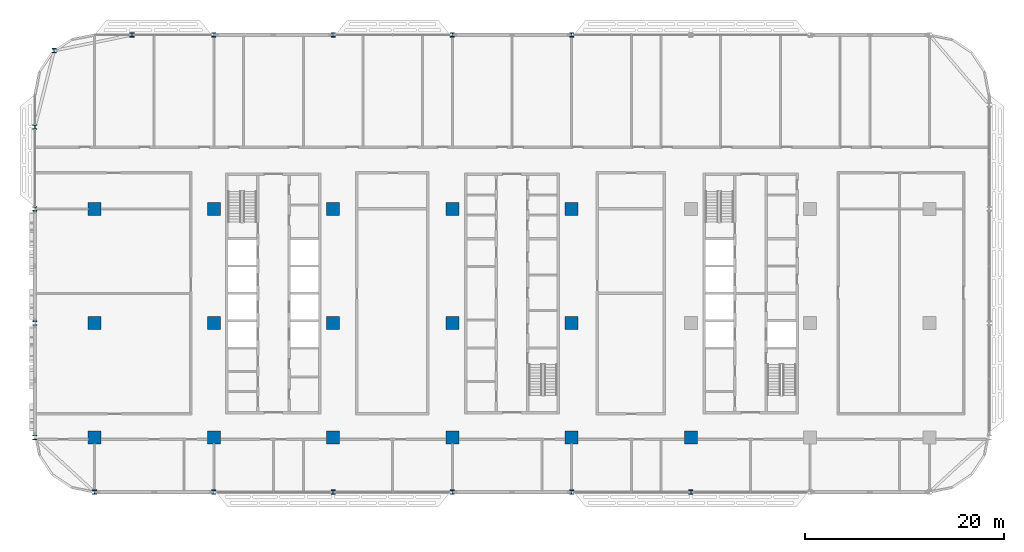
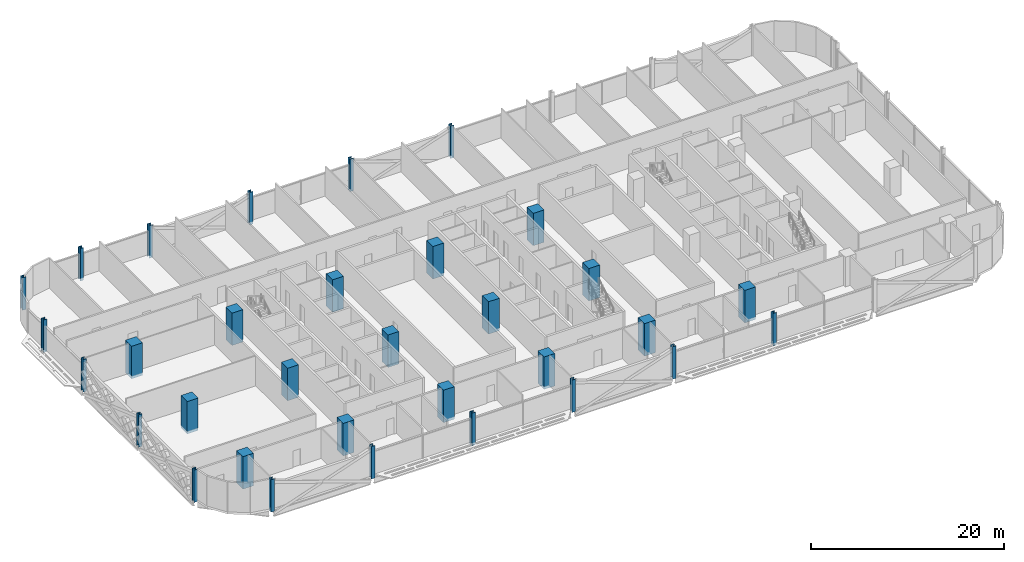
# One storey, part 1 of 29: 32 columns.
"""IFC4 building model written with IfcOpenShell, lengths in metres."""

import ifcopenshell
import ifcopenshell.guid

model = None  # the IFC model being written
_history = None  # IfcOwnerHistory: only IFC2X3 demands one
_inside = {}  # id of a spatial element -> (the spatial element, [elements in it])
_under = {}  # id of a project, library or spatial element -> (it, [spatial elements below it])
_declared = {}  # id of a project -> (the project, [libraries it declares])
_typed = {}  # id of a type object -> (the type object, [elements of that type])
_made_of = {}  # id of a material, layer set ... -> (it, [elements and type objects made of it])


def new_model(schema):
    """Start an empty IFC model of exactly this schema.

    Asked for "IFC4X3", IfcOpenShell would pick the latest addendum, in which some entities
    have other attributes; the version numbers below select the first issue.
    IFC2X3 requires an IfcOwnerHistory on every rooted entity: one is made here for all.
    """
    global model, _history
    if schema == "IFC4X3":
        model = ifcopenshell.file(schema_version=(4, 3, 0, 0))
    else:
        model = ifcopenshell.file(schema=schema)
    _inside.clear()
    _under.clear()
    _declared.clear()
    _typed.clear()
    _made_of.clear()
    _history = None
    if model.schema == "IFC2X3":
        org = make("IfcOrganization", Name="unknown")
        user = make(
            "IfcPersonAndOrganization",
            ThePerson=make("IfcPerson", FamilyName="unknown"),
            TheOrganization=org,
        )
        app = make(
            "IfcApplication",
            ApplicationDeveloper=org,
            Version="unknown",
            ApplicationFullName="unknown",
            ApplicationIdentifier="unknown",
        )
        _history = make(
            "IfcOwnerHistory",
            OwningUser=user,
            OwningApplication=app,
            ChangeAction="ADDED",
            CreationDate=0,
        )
    return model


def make(cls, **values):
    """One entity of the class cls with the attributes given. An attribute that is None is left unset."""
    return model.create_entity(
        cls, **{name: value for name, value in values.items() if value is not None}
    )


def rooted(cls, **values):
    """An entity with a GlobalId (a new one), such as an element, a storey or a relation."""
    return make(cls, GlobalId=ifcopenshell.guid.new(), OwnerHistory=_history, **values)


def si_unit(unit_type, name, prefix=None):
    """IfcSIUnit, for example si_unit("LENGTHUNIT", "METRE", prefix="MILLI")."""
    return make("IfcSIUnit", UnitType=unit_type, Prefix=prefix, Name=name)


def assignment(units):
    """IfcUnitAssignment: the units of a project."""
    return None if units is None else make("IfcUnitAssignment", Units=units)


def point(xyz):
    """IfcCartesianPoint."""
    return None if xyz is None else make("IfcCartesianPoint", Coordinates=xyz)


def direction(xyz):
    """IfcDirection."""
    return None if xyz is None else make("IfcDirection", DirectionRatios=xyz)


def frame(location, z_axis=None, x_axis=None):
    """IfcAxis2Placement3D, a coordinate frame: its origin and axes. An axis left out is left unset."""
    return make(
        "IfcAxis2Placement3D",
        Location=point(location),
        Axis=direction(z_axis),
        RefDirection=direction(x_axis),
    )


def frame_2d(location, x_axis=None):
    """IfcAxis2Placement2D, a coordinate frame in the plane: its origin and x axis."""
    return make(
        "IfcAxis2Placement2D", Location=point(location), RefDirection=direction(x_axis)
    )


def origin():
    """The frame at (0, 0, 0) with its axes left unset."""
    return frame((0.0, 0.0, 0.0))


def origin_2d():
    """The frame at (0, 0) in the plane with its x axis left unset."""
    return frame_2d((0.0, 0.0))


def place(relative_to, where):
    """IfcLocalPlacement: puts the frame where relative to a parent placement (None: the world)."""
    return make(
        "IfcLocalPlacement", PlacementRelTo=relative_to, RelativePlacement=where
    )


def context(
    kind, dimensions, precision=None, world=None, true_north=None, identifier=None
):
    """IfcGeometricRepresentationContext, for example the 3D "Model" context."""
    return make(
        "IfcGeometricRepresentationContext",
        ContextIdentifier=identifier,
        ContextType=kind,
        CoordinateSpaceDimension=dimensions,
        Precision=precision,
        WorldCoordinateSystem=world,
        TrueNorth=true_north,
    )


def subcontext(parent, identifier, kind, view, scale=None):
    """IfcGeometricRepresentationSubContext, for example "Body" below "Model"."""
    return make(
        "IfcGeometricRepresentationSubContext",
        ContextIdentifier=identifier,
        ContextType=kind,
        ParentContext=parent,
        TargetScale=scale,
        TargetView=view,
    )


def project(units=None, contexts=None):
    """IfcProject with its units and contexts."""
    return rooted(
        "IfcProject",
        Name="project",
        RepresentationContexts=contexts,
        UnitsInContext=assignment(units),
    )


def spatial(cls, under=None, at=None, **own):
    """A site, building, storey or space (cls), placed at a placement, below another one or the project."""
    s = rooted(cls, ObjectPlacement=at, **own)
    if under is not None:
        _under.setdefault(under.id(), (under, []))[1].append(s)
    return s


def profile(cls, at=None, kind="AREA", **sizes):
    """A parametric profile (cls). Its sizes go by their IFC names, for example OverallWidth=200.0."""
    return make(cls, ProfileType=kind, Position=at, **sizes)


def rectangle(**sizes):
    """IfcRectangleProfileDef."""
    return profile("IfcRectangleProfileDef", **sizes)


def i_section(**sizes):
    """IfcIShapeProfileDef."""
    return profile("IfcIShapeProfileDef", **sizes)


def extrude(swept, where, along, depth):
    """IfcExtrudedAreaSolid: the profile swept, set in the frame where, extruded along a direction by depth."""
    return make(
        "IfcExtrudedAreaSolid",
        SweptArea=swept,
        Position=where,
        ExtrudedDirection=direction(along),
        Depth=depth,
    )


def shape(context_of_items, identifier, shape_type, items):
    """IfcShapeRepresentation: the items that make up one representation, for example the "Body"."""
    return make(
        "IfcShapeRepresentation",
        ContextOfItems=context_of_items,
        RepresentationIdentifier=identifier,
        RepresentationType=shape_type,
        Items=items,
    )


def material(Name=None, Category=None):
    """IfcMaterial."""
    return make("IfcMaterial", Name=Name, Category=Category)


def material_profile(
    of_material, cross_section, Name=None, Category=None, Priority=None
):
    """IfcMaterialProfile: a cross section and its material."""
    return make(
        "IfcMaterialProfile",
        Name=Name,
        Material=of_material,
        Profile=cross_section,
        Priority=Priority,
        Category=Category,
    )


def profile_set(profiles, Name=None, composite=None):
    """IfcMaterialProfileSet."""
    return make(
        "IfcMaterialProfileSet",
        Name=Name,
        MaterialProfiles=profiles,
        CompositeProfile=composite,
    )


def made_of(thing, what):
    """Note that an element or type object is made of a material, layer set ...; save() writes the relation."""
    if what is not None:
        _made_of.setdefault(what.id(), (what, []))[1].append(thing)
    return thing


def type_object(cls, material=None, **own):
    """A type object (cls), such as IfcWallType, which elements share."""
    return made_of(rooted(cls, **own), material)


def element(
    cls,
    number,
    at=None,
    inside=None,
    cuts=None,
    type_object=None,
    material=None,
    context=None,
    identifier="Body",
    shape_type=None,
    held_by="IfcProductDefinitionShape",
    body=None,
    shapes=None,
    **own,
):
    """One element of the class cls, such as IfcWall. Its Tag is "e" and its number.

    at: its placement. inside: the storey or other place that contains it. cuts: it is an
    opening in that element (IfcRelVoidsElement). A single representation is given by context,
    identifier, shape_type and body (its items); several are given by shapes. held_by: the class
    of the entity that holds the representations. save() writes the other relations.
    """
    e = rooted(cls, Tag="e%d" % number, ObjectPlacement=at, **own)
    if body is not None:
        shapes = [shape(context, identifier, shape_type, body)]
    if shapes is not None:
        e.Representation = make(held_by, Representations=shapes)
    if inside is not None:
        _inside.setdefault(inside.id(), (inside, []))[1].append(e)
    if cuts is not None:
        rooted(
            "IfcRelVoidsElement", RelatingBuildingElement=cuts, RelatedOpeningElement=e
        )
    if type_object is not None:
        _typed.setdefault(type_object.id(), (type_object, []))[1].append(e)
    return made_of(e, material)


def aggregate(whole, parts):
    """IfcRelAggregates: a whole, such as a stair, and the parts it consists of."""
    return rooted("IfcRelAggregates", RelatingObject=whole, RelatedObjects=parts)


def save(model, path):
    """Write the relations noted so far, then the file.

    IfcRelAggregates (storeys below a building ...), IfcRelContainedInSpatialStructure (elements
    in a storey), IfcRelDefinesByType, IfcRelAssociatesMaterial and IfcRelDeclares: one each for
    every whole, place, type object, material and project.
    """
    for whole, parts in _under.values():
        aggregate(whole, parts)
    for where, things in _inside.values():
        rooted(
            "IfcRelContainedInSpatialStructure",
            RelatedElements=things,
            RelatingStructure=where,
        )
    for kind, things in _typed.values():
        rooted("IfcRelDefinesByType", RelatedObjects=things, RelatingType=kind)
    for what, things in _made_of.values():
        rooted("IfcRelAssociatesMaterial", RelatedObjects=things, RelatingMaterial=what)
    for by, libraries in _declared.values():
        rooted("IfcRelDeclares", RelatingContext=by, RelatedDefinitions=libraries)
    model.write(path)


model = new_model("IFC4")

# Units and contexts
model_context = context("Model", 3, precision=1e-05, world=origin(), true_north=direction((0.0, 1.0)))
body_context = subcontext(model_context, "Body", "Model", "MODEL_VIEW")
ifc_project = project(units=[si_unit("LENGTHUNIT", "METRE"), si_unit("AREAUNIT", "SQUARE_METRE"), si_unit("VOLUMEUNIT", "CUBIC_METRE"), si_unit("PLANEANGLEUNIT", "RADIAN"), si_unit("MASSUNIT", "GRAM", prefix="KILO")], contexts=[model_context])

# Site, building, storey
site_placement = place(None, origin())
site = spatial("IfcSite", under=ifc_project, at=site_placement, CompositionType="ELEMENT")
building_placement = place(site_placement, origin())
building = spatial("IfcBuilding", under=site, at=building_placement, Name="Mahtab Terrace Research Tower", CompositionType="ELEMENT")
storey_placement = place(building_placement, frame((0.0, 0.0, 142.5)))
storey = spatial("IfcBuildingStorey", under=building, at=storey_placement, Name="L33", CompositionType="ELEMENT", Elevation=142.5)

# Columns
ifc_material_1 = material(Name="Concrete C70/85", Category="concrete")
ifc_material_profile_1 = material_profile(ifc_material_1, rectangle(XDim=1.300048828125, YDim=1.300048828125, at=origin_2d()), Name="RC column 1300x1300")
ifc_profile_set_1 = profile_set([ifc_material_profile_1], Name="Concrete C70/85")
column_type_1 = type_object("IfcColumnType", Name="RC column 1300x1300", PredefinedType="COLUMN", material=ifc_profile_set_1)
for number, where, z_axis, x_axis, name in (
    (1, (-42.0, -11.5, -0.340087890625), (0.0, 0.0, 1.0), (1.0, 0.0, 0.0), "Column RC-1A L33"),
    (2, (-42.0, 0.0, -0.340087890625), (0.0, 0.0, 1.0), (1.0, 0.0, 0.0), "Column RC-1B L33"),
    (3, (-42.0, 11.5, -0.340087890625), (0.0, 0.0, 1.0), (1.0, 0.0, 0.0), "Column RC-1C L33"),
    (4, (-30.0, -11.5, -0.340087890625), (0.0, 0.0, 1.0), (1.0, 0.0, 0.0), "Column RC-2A L33"),
    (5, (-30.0, 0.0, -0.340087890625), (0.0, 0.0, 1.0), (1.0, 0.0, 0.0), "Column RC-2B L33"),
    (6, (-30.0, 11.5, -0.340087890625), (0.0, 0.0, 1.0), (1.0, 0.0, 0.0), "Column RC-2C L33"),
    (7, (-18.0, -11.5, -0.340087890625), (0.0, 0.0, 1.0), (1.0, 0.0, 0.0), "Column RC-3A L33"),
    (8, (-18.0, 0.0, -0.340087890625), (0.0, 0.0, 1.0), (1.0, 0.0, 0.0), "Column RC-3B L33"),
    (9, (-18.0, 11.5, -0.340087890625), (0.0, 0.0, 1.0), (1.0, 0.0, 0.0), "Column RC-3C L33"),
    (10, (-6.0, -11.5, -0.340087890625), (0.0, 0.0, 1.0), (1.0, 0.0, 0.0), "Column RC-4A L33"),
    (11, (-6.0, 0.0, -0.340087890625), (0.0, 0.0, 1.0), (1.0, 0.0, 0.0), "Column RC-4B L33"),
    (12, (-6.0, 11.5, -0.340087890625), (0.0, 0.0, 1.0), (1.0, 0.0, 0.0), "Column RC-4C L33"),
    (13, (6.0, -11.5, -0.340087890625), (0.0, 0.0, 1.0), (1.0, 0.0, 0.0), "Column RC-5A L33"),
    (14, (6.0, 0.0, -0.340087890625), (0.0, 0.0, 1.0), (1.0, 0.0, 0.0), "Column RC-5B L33"),
    (15, (6.0, 11.5, -0.340087890625), (0.0, 0.0, 1.0), (1.0, 0.0, 0.0), "Column RC-5C L33"),
    (16, (18.0, -11.5, -0.340087890625), (0.0, 0.0, 1.0), (1.0, 0.0, 0.0), "Column RC-6A L33"),
):
    element("IfcColumn", number, at=place(storey_placement, frame(where, z_axis=z_axis, x_axis=x_axis)), inside=storey, type_object=column_type_1, Name=name, PredefinedType="COLUMN", context=body_context, shape_type="SweptSolid", body=[
        extrude(rectangle(XDim=1.300048828125, YDim=1.300048828125, at=origin_2d()), origin(), (0.0, 0.0, 1.0), 4.10009765625),
    ])
ifc_material_2 = material(Name="Steel ASTM A992 Gr 50", Category="steel")
ifc_material_profile_2 = material_profile(ifc_material_2, i_section(OverallWidth=0.41162109375, OverallDepth=0.434326171875, WebThickness=0.035888671875, FlangeThickness=0.057373046875, at=origin_2d()), Name="W14X311")
ifc_profile_set_2 = profile_set([ifc_material_profile_2], Name="Steel ASTM A992 Gr 50")
column_type_2 = type_object("IfcColumnType", Name="W14x311 column CS14311", PredefinedType="COLUMN", material=ifc_profile_set_2)
for number, where, z_axis, x_axis, name in (
    (17, (6.0, 29.0, -0.340087890625), (0.0, 0.0, 1.0), (1.0, 0.0, 0.0), "Column SC-034 L33"),
    (18, (-6.0, 29.0, -0.340087890625), (0.0, 0.0, 1.0), (1.0, 0.0, 0.0), "Column SC-035 L33"),
    (19, (-18.0, 29.0, -0.340087890625), (0.0, 0.0, 1.0), (1.0, 0.0, 0.0), "Column SC-036 L33"),
    (20, (-30.0, 29.0, -0.340087890625), (0.0, 0.0, 1.0), (1.0, 0.0, 0.0), "Column SC-037 L33"),
    (21, (-38.23095703125, 29.0, -0.340087890625), (0.0, 0.0, 1.0), (1.0, 0.0, 0.0), "Column SC-046 L33"),
    (22, (-46.06201171875, 27.416015625, -0.340087890625), (0.0, 0.0, 1.0), (1.0, 0.0, 0.0), "Column SC-047 L33"),
    (23, (-48.0, 19.73095703125, -0.340087890625), (0.0, 0.0, 1.0), (1.0, 0.0, 0.0), "Column SC-048 L33"),
    (24, (-48.0, 11.5, -0.340087890625), (0.0, 0.0, 1.0), (1.0, 0.0, 0.0), "Column SC-009 L33"),
    (25, (-48.0, 0.0, -0.340087890625), (0.0, 0.0, 1.0), (1.0, 0.0, 0.0), "Column SC-010 L33"),
    (26, (-48.0, -11.5, -0.340087890625), (0.0, 0.0, 1.0), (1.0, 0.0, 0.0), "Column SC-011 L33"),
    (27, (-42.0, -17.0, -0.340087890625), (0.0, 0.0, 1.0), (1.0, 0.0, 0.0), "Column SC-049 L33"),
    (28, (-30.0, -17.0, -0.340087890625), (0.0, 0.0, 1.0), (1.0, 0.0, 0.0), "Column SC-039 L33"),
    (29, (-18.0, -17.0, -0.340087890625), (0.0, 0.0, 1.0), (1.0, 0.0, 0.0), "Column SC-040 L33"),
    (30, (-6.0, -17.0, -0.340087890625), (0.0, 0.0, 1.0), (1.0, 0.0, 0.0), "Column SC-041 L33"),
    (31, (6.0, -17.0, -0.340087890625), (0.0, 0.0, 1.0), (1.0, 0.0, 0.0), "Column SC-042 L33"),
    (32, (18.0, -17.0, -0.340087890625), (0.0, 0.0, 1.0), (1.0, 0.0, 0.0), "Column SC-043 L33"),
):
    element("IfcColumn", number, at=place(storey_placement, frame(where, z_axis=z_axis, x_axis=x_axis)), inside=storey, type_object=column_type_2, Name=name, PredefinedType="COLUMN", context=body_context, shape_type="SweptSolid", body=[
        extrude(i_section(OverallWidth=0.41162109375, OverallDepth=0.434326171875, WebThickness=0.035888671875, FlangeThickness=0.057373046875, at=origin_2d()), origin(), (0.0, 0.0, 1.0), 4.10009765625),
    ])

save(model, "model.ifc")
